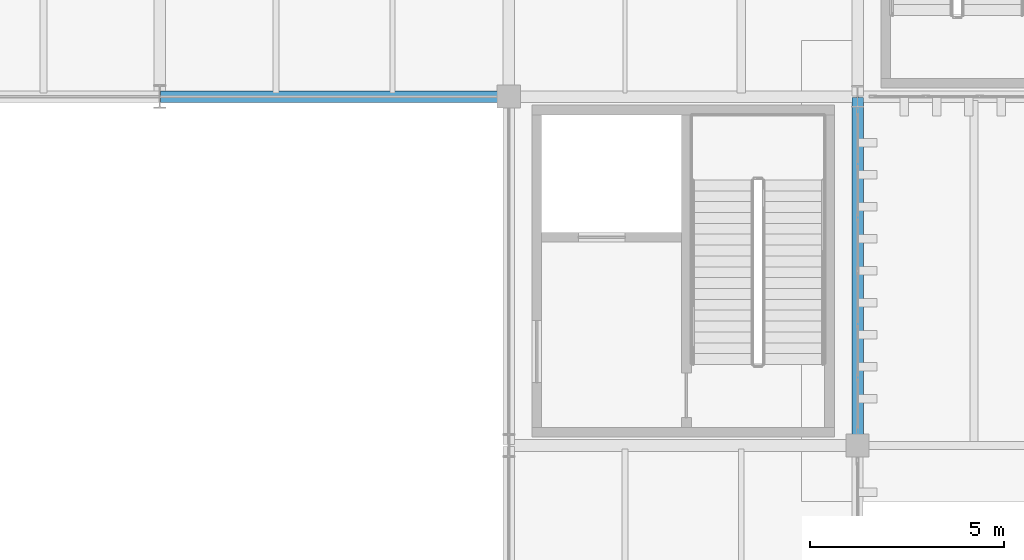
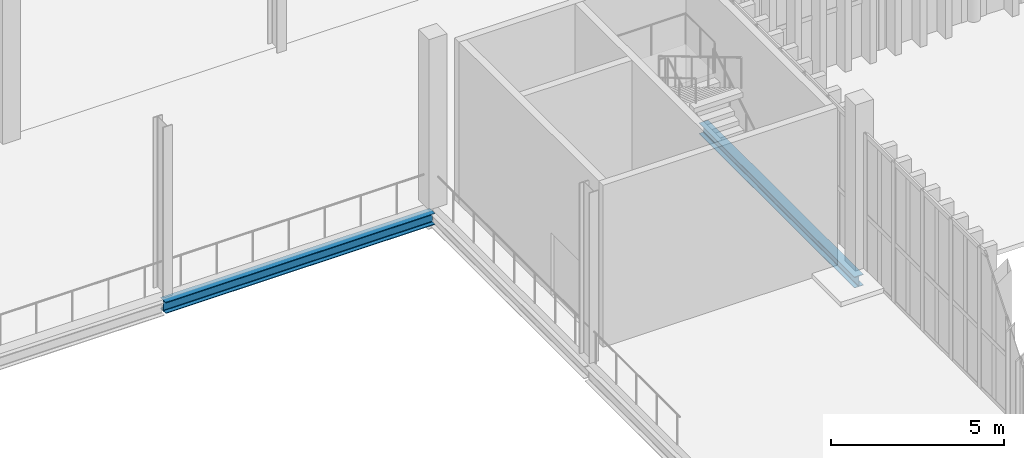
# One storey, part 54 of 211: 2 beams.
"""IFC4 building model written with IfcOpenShell, lengths in metres."""

from ifc_helpers import new_model, si_unit, direction, frame, origin, origin_2d, place, context, subcontext, project, spatial, i_section, extrude, material, material_profile, profile_set, type_object, element, save


model = new_model("IFC4")

# Units and contexts
model_context = context("Model", 3, precision=1e-05, world=origin(), true_north=direction((0.0, 1.0)))
body_context = subcontext(model_context, "Body", "Model", "MODEL_VIEW")
ifc_project = project(units=[si_unit("LENGTHUNIT", "METRE"), si_unit("AREAUNIT", "SQUARE_METRE"), si_unit("VOLUMEUNIT", "CUBIC_METRE"), si_unit("PLANEANGLEUNIT", "RADIAN"), si_unit("MASSUNIT", "GRAM", prefix="KILO")], contexts=[model_context])

# Site, building, storey
site_placement = place(None, origin())
site = spatial("IfcSite", under=ifc_project, at=site_placement, CompositionType="ELEMENT")
building_placement = place(site_placement, origin())
building = spatial("IfcBuilding", under=site, at=building_placement, Name="Barlavento Convention Centre", CompositionType="ELEMENT")
storey_placement = place(building_placement, frame((0.0, 0.0, 6.0)))
storey = spatial("IfcBuildingStorey", under=building, at=storey_placement, Name="L01", CompositionType="ELEMENT", Elevation=6.0)

# Beams
ifc_material = material(Name="Steel S355", Category="steel")
ifc_material_profile_1 = material_profile(ifc_material, i_section(OverallWidth=0.300048828125, OverallDepth=0.389892578125, WebThickness=0.010986328125, FlangeThickness=0.01904296875, FilletRadius=0.027099609375, at=origin_2d()), Name="HEA 400")
ifc_profile_set_1 = profile_set([ifc_material_profile_1], Name="Steel S355")
beam_type_1 = type_object("IfcBeamType", Name="STR-BM-PRI-HEA400", PredefinedType="BEAM", material=ifc_profile_set_1)
beam_1_placement = place(storey_placement, frame((63.0, 36.02001953125, -0.4951171875), z_axis=(0.0, 1.0, 0.0), x_axis=(-1.0, 0.0, 0.0)))
element("IfcBeam", 1, at=beam_1_placement, inside=storey, type_object=beam_type_1, Name="L01 grid girder BG22", PredefinedType="BEAM", context=body_context, shape_type="SweptSolid", body=[
    extrude(i_section(OverallWidth=0.300048828125, OverallDepth=0.389892578125, WebThickness=0.010986328125, FlangeThickness=0.01904296875, FilletRadius=0.027099609375, at=origin_2d()), origin(), (0.0, 0.0, 1.0), 8.9599609375),
])
ifc_material_profile_2 = material_profile(ifc_material, i_section(OverallWidth=0.300048828125, OverallDepth=0.39990234375, WebThickness=0.013427734375, FlangeThickness=0.02392578125, FilletRadius=0.027099609375, at=origin_2d()), Name="HEB 400")
ifc_profile_set_2 = profile_set([ifc_material_profile_2], Name="Steel S355")
beam_type_2 = type_object("IfcBeamType", Name="STR-BM-PRI-HEB400", PredefinedType="BEAM", material=ifc_profile_set_2)
beam_2_placement = place(storey_placement, frame((45.02001953125, 45.0, -0.5), z_axis=(1.0, 0.0, 0.0), x_axis=(0.0, 1.0, 0.0)))
element("IfcBeam", 2, at=beam_2_placement, inside=storey, type_object=beam_type_2, Name="L01 primary girder BG11", PredefinedType="BEAM", context=body_context, shape_type="SweptSolid", body=[
    extrude(i_section(OverallWidth=0.300048828125, OverallDepth=0.39990234375, WebThickness=0.013427734375, FlangeThickness=0.02392578125, FilletRadius=0.027099609375, at=origin_2d()), origin(), (0.0, 0.0, 1.0), 8.9599609375),
])

save(model, "model.ifc")
